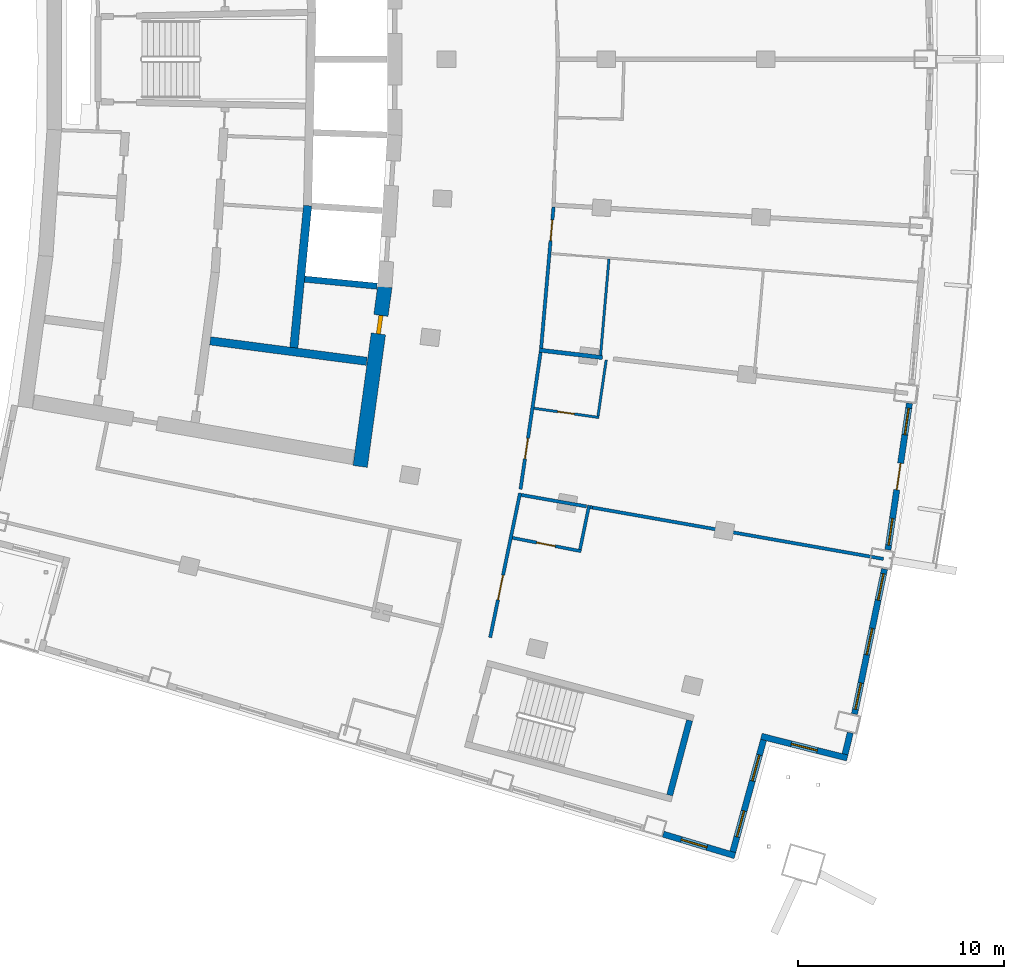
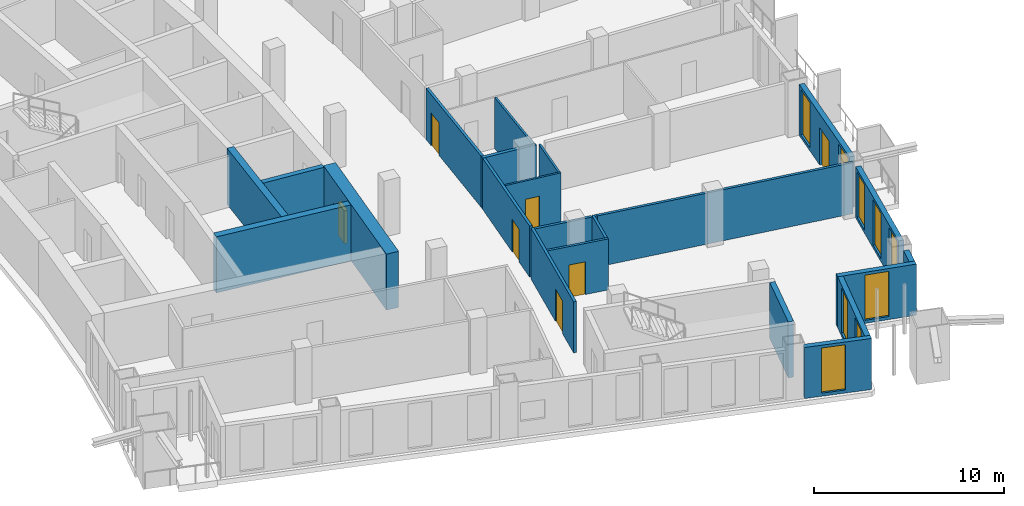
# One storey, part 12 of 20: 23 walls, 9 windows, 7 doors, 16 openings.
"""IFC4 building model written with IfcOpenShell, lengths in metres."""

from ifc_helpers import new_model, si_unit, direction, frame, frame_2d, origin, place, context, subcontext, project, spatial, rectangle, extrude, material, layer, layer_set, type_object, element, fill, save


model = new_model("IFC4")

# Units and contexts
model_context = context("Model", 3, precision=1e-05, world=origin(), true_north=direction((0.0, 1.0)))
body_context = subcontext(model_context, "Body", "Model", "MODEL_VIEW")
ifc_project = project(units=[si_unit("LENGTHUNIT", "METRE"), si_unit("AREAUNIT", "SQUARE_METRE"), si_unit("VOLUMEUNIT", "CUBIC_METRE"), si_unit("PLANEANGLEUNIT", "RADIAN"), si_unit("MASSUNIT", "GRAM", prefix="KILO")], contexts=[model_context])

# Site, building, storey
site_placement = place(None, origin())
site = spatial("IfcSite", under=ifc_project, at=site_placement, CompositionType="ELEMENT")
building_placement = place(site_placement, origin())
building = spatial("IfcBuilding", under=site, at=building_placement, Name="Alderwake Tower", CompositionType="ELEMENT")
storey_placement = place(building_placement, frame((0.0, 0.0, 178.39990234375)))
storey = spatial("IfcBuildingStorey", under=building, at=storey_placement, Name="L44", CompositionType="ELEMENT", Elevation=178.39990234375)

# Wall, opening, door
ifc_material_1 = material(Name="Concrete C70/85", Category="concrete")
ifc_layer_1 = layer(ifc_material_1, 0.699951171875)
ifc_layer_set_1 = layer_set([ifc_layer_1], Name="Core wall outer 700 C70-85")
wall_type_1 = type_object("IfcWallType", Name="Core wall outer 700 C70-85", PredefinedType="SHEAR", material=ifc_layer_set_1)
wall_1_placement = place(storey_placement, frame((32.81298828125, 49.97412109375, 0.0), z_axis=(0.0, 0.0, 1.0), x_axis=(-0.135835706655, -0.99073137671, 0.0)))
wall_1 = element("IfcWall", 1, at=wall_1_placement, inside=storey, type_object=wall_type_1, Name="Core wall CW.012", PredefinedType="SHEAR", context=body_context, shape_type="SweptSolid", body=[
    extrude(rectangle(XDim=8.790771484375, YDim=0.699951171875, at=frame_2d((4.3955078125, 0.0))), origin(), (0.0, 0.0, 1.0), 3.60009765625),
])
opening_1_placement = place(wall_1_placement, frame((1.40478515625, 0.0, 0.0)))
opening_1 = element("IfcOpeningElement", 2, at=opening_1_placement, cuts=wall_1, Name="Opening C050", PredefinedType="OPENING", context=body_context, shape_type="SweptSolid", body=[
    extrude(rectangle(XDim=0.89990234375, YDim=2.10009765625, at=frame_2d((0.449951171875, 1.050048828125))), frame((0.0, 0.35986328125, 0.0), z_axis=(0.0, -1.0, 0.0), x_axis=(1.0, 0.0, 0.0)), (0.0, 0.0, 1.0), 0.719970703125),
])
ifc_material_2 = material(Name="Painted steel leaf", Category="steel")
door_type_1 = type_object("IfcDoorType", Name="Core room door 900", OperationType="SINGLE_SWING_LEFT", PredefinedType="DOOR", material=ifc_material_2)
door_1_placement = place(opening_1_placement, origin())
door_1 = element("IfcDoor", 3, at=door_1_placement, inside=storey, type_object=door_type_1, Name="Room door", OperationType="SINGLE_SWING_RIGHT", OverallHeight=2.10009765625, OverallWidth=0.89990234375, PredefinedType="DOOR", context=body_context, shape_type="SweptSolid", body=[
    extrude(rectangle(XDim=0.89990234375, YDim=2.10009765625, at=frame_2d((0.449951171875, 1.050048828125))), frame((0.0, 0.10009765625, 0.0), z_axis=(0.0, -1.0, 0.0), x_axis=(1.0, 0.0, 0.0)), (0.0, 0.0, 1.0), 0.199951171875),
])
fill(opening_1, door_1)

# Walls
ifc_material_3 = material(Name="Concrete C70/85", Category="concrete")
ifc_layer_2 = layer(ifc_material_3, 0.300048828125)
ifc_layer_set_2 = layer_set([ifc_layer_2], Name="Core wall shaft 300 C70-85")
wall_type_2 = type_object("IfcWallType", Name="Core wall shaft 300 C70-85", PredefinedType="SHEAR", material=ifc_layer_set_2)
wall_2_placement = place(storey_placement, frame((28.92529296875, 50.341552734375, 0.0), z_axis=(0.0, 0.0, 1.0), x_axis=(0.995245524877, -0.097397870674, 0.0)))
element("IfcWall", 4, at=wall_2_placement, inside=storey, type_object=wall_type_2, Name="Core wall CW.064", PredefinedType="SHEAR", context=body_context, shape_type="SweptSolid", body=[
    extrude(rectangle(XDim=3.5244140625, YDim=0.300048828125, at=frame_2d((1.76220703125, 0.0))), origin(), (0.0, 0.0, 1.0), 3.60009765625),
])
ifc_material_4 = material(Name="Concrete C70/85", Category="concrete")
ifc_layer_3 = layer(ifc_material_4, 0.39990234375)
ifc_layer_set_3 = layer_set([ifc_layer_3], Name="Core wall spine 400 C70-85")
wall_type_3 = type_object("IfcWallType", Name="Core wall spine 400 C70-85", PredefinedType="SHEAR", material=ifc_layer_set_3)
wall_3_placement = place(storey_placement, frame((28.402587890625, 47.0234375, 0.0), z_axis=(0.0, 0.0, 1.0), x_axis=(0.096500230077, 0.995332962177, 0.0)))
element("IfcWall", 5, at=wall_3_placement, inside=storey, type_object=wall_type_3, Name="Core wall CW.005", PredefinedType="SHEAR", context=body_context, shape_type="SweptSolid", body=[
    extrude(rectangle(XDim=6.914306640625, YDim=0.39990234375, at=frame_2d((3.45703125, 0.0))), origin(), (0.0, 0.0, 1.0), 3.60009765625),
])
wall_4_placement = place(storey_placement, frame((24.347900390625, 47.35205078125, 0.0), z_axis=(0.0, 0.0, 1.0), x_axis=(0.991554795689, -0.129688423329, 0.0)))
element("IfcWall", 6, at=wall_4_placement, inside=storey, type_object=wall_type_3, Name="Core wall CW.069", PredefinedType="SHEAR", context=body_context, shape_type="SweptSolid", body=[
    extrude(rectangle(XDim=7.650634765625, YDim=0.39990234375, at=frame_2d((3.8251953125, 0.0))), origin(), (0.0, 0.0, 1.0), 3.60009765625),
])
ifc_material_5 = material(Name="Concrete C70/85", Category="concrete")
ifc_layer_4 = layer(ifc_material_5, 0.300048828125)
ifc_layer_set_4 = layer_set([ifc_layer_4], Name="Core wall stair enclosure 300 C70-85")
wall_type_4 = type_object("IfcWallType", Name="Core wall stair enclosure 300 C70-85", PredefinedType="SHEAR", material=ifc_layer_set_4)
wall_5_placement = place(storey_placement, frame((46.6162109375, 25.334716796875, 0.0), z_axis=(0.0, 0.0, 1.0), x_axis=(0.257366821694, 0.966313778796, 0.0)))
element("IfcWall", 7, at=wall_5_placement, inside=storey, type_object=wall_type_4, Name="Core wall CW.085", PredefinedType="SHEAR", context=body_context, shape_type="SweptSolid", body=[
    extrude(rectangle(XDim=3.749755859375, YDim=0.300048828125, at=frame_2d((1.875, 0.0))), origin(), (0.0, 0.0, 1.0), 3.60009765625),
])

# Wall, opening, door
ifc_material_6 = material(Name="Gypsum board on metal studs, rated")
ifc_layer_5 = layer(ifc_material_6, 0.159912109375)
ifc_layer_set_5 = layer_set([ifc_layer_5], Name="Corridor wall 160")
wall_type_5 = type_object("IfcWallType", Name="Corridor wall 160", PredefinedType="PARTITIONING", material=ifc_layer_set_5)
wall_6_placement = place(storey_placement, frame((39.3642578125, 39.975341796875, 0.0), z_axis=(0.0, 0.0, 1.0), x_axis=(-0.202490391407, -0.979284249535, 0.0)))
wall_6 = element("IfcWall", 8, at=wall_6_placement, inside=storey, type_object=wall_type_5, Name="WL/L44/W25", PredefinedType="PARTITIONING", context=body_context, shape_type="SweptSolid", body=[
    extrude(rectangle(XDim=7.147216796875, YDim=0.159912109375, at=frame_2d((3.57373046875, 0.0))), origin(), (0.0, 0.0, 1.0), 3.280029296875),
])
opening_2_placement = place(wall_6_placement, frame((4.073486328125, 0.0, 0.0)))
opening_2 = element("IfcOpeningElement", 9, at=opening_2_placement, cuts=wall_6, Name="Opening R12-AM1.1", PredefinedType="OPENING", context=body_context, shape_type="SweptSolid", body=[
    extrude(rectangle(XDim=1.199951171875, YDim=2.10009765625, at=frame_2d((0.60009765625, 1.050048828125))), frame((0.0, 0.08984375, 0.0), z_axis=(0.0, -1.0, 0.0), x_axis=(1.0, 0.0, 0.0)), (0.0, 0.0, 1.0), 0.179931640625),
])
ifc_material_7 = material(Name="Steel-framed fire door leaf", Category="steel")
door_type_2 = type_object("IfcDoorType", Name="Lobby door 1200 fire-rated", OperationType="SINGLE_SWING_LEFT", PredefinedType="DOOR", material=ifc_material_7)
door_2_placement = place(opening_2_placement, origin())
door_2 = element("IfcDoor", 10, at=door_2_placement, inside=storey, type_object=door_type_2, Name="DR/L44/AM1.1", OperationType="SINGLE_SWING_LEFT", OverallHeight=2.10009765625, OverallWidth=1.199951171875, PredefinedType="DOOR", context=body_context, shape_type="SweptSolid", body=[
    extrude(rectangle(XDim=1.199951171875, YDim=2.10009765625, at=frame_2d((0.60009765625, 1.050048828125))), frame((0.0, 0.02490234375, 0.0), z_axis=(0.0, -1.0, 0.0), x_axis=(1.0, 0.0, 0.0)), (0.0, 0.0, 1.0), 0.050048828125),
])
fill(opening_2, door_2)

wall_7_placement = place(storey_placement, frame((40.3623046875, 46.7939453125, 0.0), z_axis=(0.0, 0.0, 1.0), x_axis=(-0.145513909196, -0.989356205939, 0.0)))
wall_7 = element("IfcWall", 11, at=wall_7_placement, inside=storey, type_object=wall_type_5, Name="WL/L44/W26", PredefinedType="PARTITIONING", context=body_context, shape_type="SweptSolid", body=[
    extrude(rectangle(XDim=6.704345703125, YDim=0.159912109375, at=frame_2d((3.35205078125, 0.0))), origin(), (0.0, 0.0, 1.0), 3.280029296875),
])
opening_3_placement = place(wall_7_placement, frame((4.216552734375, 0.0, 0.0)))
opening_3 = element("IfcOpeningElement", 12, at=opening_3_placement, cuts=wall_7, Name="Opening R12-U03.1", PredefinedType="OPENING", context=body_context, shape_type="SweptSolid", body=[
    extrude(rectangle(XDim=1.0, YDim=2.10009765625, at=frame_2d((0.5, 1.050048828125))), frame((0.0, 0.08984375, 0.0), z_axis=(0.0, -1.0, 0.0), x_axis=(1.0, 0.0, 0.0)), (0.0, 0.0, 1.0), 0.179931640625),
])
ifc_material_8 = material(Name="Solid timber leaf in steel frame", Category="steel")
door_type_3 = type_object("IfcDoorType", Name="Flat entrance door 1000 fire-rated", OperationType="SINGLE_SWING_LEFT", PredefinedType="DOOR", material=ifc_material_8)
door_3_placement = place(opening_3_placement, origin())
door_3 = element("IfcDoor", 13, at=door_3_placement, inside=storey, type_object=door_type_3, Name="DR/L44/U03.1", OperationType="SINGLE_SWING_LEFT", OverallHeight=2.10009765625, OverallWidth=1.0, PredefinedType="DOOR", context=body_context, shape_type="SweptSolid", body=[
    extrude(rectangle(XDim=1.0, YDim=2.10009765625, at=frame_2d((0.5, 1.050048828125))), frame((0.0, 0.02490234375, 0.0), z_axis=(0.0, -1.0, 0.0), x_axis=(1.0, 0.0, 0.0)), (0.0, 0.0, 1.0), 0.050048828125),
])
fill(opening_3, door_3)

wall_8_placement = place(storey_placement, frame((40.986328125, 53.834228515625, 0.0), z_axis=(0.0, 0.0, 1.0), x_axis=(-0.087448731147, -0.996169021512, 0.0)))
wall_8 = element("IfcWall", 14, at=wall_8_placement, inside=storey, type_object=wall_type_5, Name="WL/L44/W28", PredefinedType="PARTITIONING", context=body_context, shape_type="SweptSolid", body=[
    extrude(rectangle(XDim=6.867919921875, YDim=0.159912109375, at=frame_2d((3.43408203125, 0.0))), origin(), (0.0, 0.0, 1.0), 3.280029296875),
])
opening_4_placement = place(wall_8_placement, frame((0.628173828125, 0.0, 0.0)))
opening_4 = element("IfcOpeningElement", 15, at=opening_4_placement, cuts=wall_8, Name="Opening R12-U04.2", PredefinedType="OPENING", context=body_context, shape_type="SweptSolid", body=[
    extrude(rectangle(XDim=1.0, YDim=2.10009765625, at=frame_2d((0.5, 1.050048828125))), frame((0.0, 0.08984375, 0.0), z_axis=(0.0, -1.0, 0.0), x_axis=(1.0, 0.0, 0.0)), (0.0, 0.0, 1.0), 0.179931640625),
])
door_4_placement = place(opening_4_placement, origin())
door_4 = element("IfcDoor", 16, at=door_4_placement, inside=storey, type_object=door_type_3, Name="DR/L44/U04.2", OperationType="SINGLE_SWING_LEFT", OverallHeight=2.10009765625, OverallWidth=1.0, PredefinedType="DOOR", context=body_context, shape_type="SweptSolid", body=[
    extrude(rectangle(XDim=1.0, YDim=2.10009765625, at=frame_2d((0.5, 1.050048828125))), frame((0.0, 0.02490234375, 0.0), z_axis=(0.0, -1.0, 0.0), x_axis=(1.0, 0.0, 0.0)), (0.0, 0.0, 1.0), 0.050048828125),
])
fill(opening_4, door_4)

# Walls
wall_9_placement = place(storey_placement, frame((42.579833984375, 39.328125, 0.0), z_axis=(0.0, 0.0, 1.0), x_axis=(-0.984863294771, 0.173332889587, 0.0)))
element("IfcWall", 17, at=wall_9_placement, inside=storey, type_object=wall_type_5, Name="WL/L44/W33", PredefinedType="PARTITIONING", context=body_context, shape_type="SweptSolid", body=[
    extrude(rectangle(XDim=3.201416015625, YDim=0.159912109375, at=frame_2d((1.6005859375, 0.0))), origin(), (0.0, 0.0, 1.0), 3.280029296875),
])
wall_10_placement = place(storey_placement, frame((42.8779296875, 39.2724609375, 0.0), z_axis=(0.0, 0.0, 1.0), x_axis=(-0.983295875598, 0.18201434293, 0.0)))
element("IfcWall", 18, at=wall_10_placement, inside=storey, type_object=wall_type_5, Name="WL/L44/W34", PredefinedType="PARTITIONING", context=body_context, shape_type="SweptSolid", body=[
    extrude(rectangle(XDim=0.11669921875, YDim=0.159912109375, at=frame_2d((0.058349609375, 0.0))), origin(), (0.0, 0.0, 1.0), 3.280029296875),
])
wall_11_placement = place(storey_placement, frame((56.97607421875, 36.782958984375, 0.0), z_axis=(0.0, 0.0, 1.0), x_axis=(-0.984749571154, 0.173977820748, 0.0)))
element("IfcWall", 19, at=wall_11_placement, inside=storey, type_object=wall_type_5, Name="WL/L44/W35", PredefinedType="PARTITIONING", context=body_context, shape_type="SweptSolid", body=[
    extrude(rectangle(XDim=14.326171875, YDim=0.159912109375, at=frame_2d((7.1630859375, 0.0))), origin(), (0.0, 0.0, 1.0), 3.280029296875),
])
ifc_material_9 = material(Name="Precast concrete C50/60 spandrel panel", Category="concrete")
ifc_layer_6 = layer(ifc_material_9, 0.300048828125)
ifc_layer_set_6 = layer_set([ifc_layer_6], Name="External wall EW1 Precast concrete C50/60 spandrel")
wall_type_6 = type_object("IfcWallType", Name="External wall EW1 Precast concrete C50/60 spandrel", PredefinedType="SOLIDWALL", material=ifc_layer_set_6)
wall_12_placement = place(storey_placement, frame((55.11181640625, 27.31591796875, 0.0), z_axis=(0.0, 0.0, 1.0), x_axis=(0.238310475887, 0.971189022324, 0.0)))
element("IfcWall", 20, at=wall_12_placement, inside=storey, type_object=wall_type_6, Name="External wall 11", PredefinedType="SOLIDWALL", context=body_context, shape_type="SweptSolid", body=[
    extrude(rectangle(XDim=1.07470703125, YDim=0.300048828125, at=frame_2d((0.537353515625, 0.0))), origin(), (0.0, 0.0, 1.0), 3.280029296875),
])

# Wall, openings, windows
wall_13_placement = place(storey_placement, frame((55.572509765625, 29.265625, 0.0), z_axis=(0.0, 0.0, 1.0), x_axis=(0.202713609839, 0.979238067268, 0.0)))
wall_13 = element("IfcWall", 21, at=wall_13_placement, inside=storey, type_object=wall_type_6, Name="External wall 12", PredefinedType="SOLIDWALL", context=body_context, shape_type="SweptSolid", body=[
    extrude(rectangle(XDim=7.175537109375, YDim=0.300048828125, at=frame_2d((3.587890625, 0.0))), origin(), (0.0, 0.0, 1.0), 3.280029296875),
])
opening_5_placement = place(wall_13_placement, frame((0.2353515625, 0.0, 0.199951171875)))
opening_5 = element("IfcOpeningElement", 22, at=opening_5_placement, cuts=wall_13, Name="Opening W1", PredefinedType="OPENING", context=body_context, shape_type="SweptSolid", body=[
    extrude(rectangle(XDim=1.300048828125, YDim=2.89990234375, at=frame_2d((0.64990234375, 1.449951171875))), frame((0.0, 0.159912109375, 0.0), z_axis=(0.0, -1.0, 0.0), x_axis=(1.0, 0.0, 0.0)), (0.0, 0.0, 1.0), 0.320068359375),
])
opening_6_placement = place(wall_13_placement, frame((2.937744140625, 0.0, 0.199951171875)))
opening_6 = element("IfcOpeningElement", 23, at=opening_6_placement, cuts=wall_13, Name="Opening W1", PredefinedType="OPENING", context=body_context, shape_type="SweptSolid", body=[
    extrude(rectangle(XDim=1.300048828125, YDim=2.89990234375, at=frame_2d((0.64990234375, 1.449951171875))), frame((0.0, 0.159912109375, 0.0), z_axis=(0.0, -1.0, 0.0), x_axis=(1.0, 0.0, 0.0)), (0.0, 0.0, 1.0), 0.320068359375),
])
opening_7_placement = place(wall_13_placement, frame((5.64013671875, 0.0, 0.199951171875)))
opening_7 = element("IfcOpeningElement", 24, at=opening_7_placement, cuts=wall_13, Name="Opening W1", PredefinedType="OPENING", context=body_context, shape_type="SweptSolid", body=[
    extrude(rectangle(XDim=1.300048828125, YDim=2.89990234375, at=frame_2d((0.64990234375, 1.449951171875))), frame((0.0, 0.159912109375, 0.0), z_axis=(0.0, -1.0, 0.0), x_axis=(1.0, 0.0, 0.0)), (0.0, 0.0, 1.0), 0.320068359375),
])
ifc_material_10 = material(Name="Bronze tinted glass in aluminium frame", Category="aluminium")
window_type = type_object("IfcWindowType", Name="Window W1 tall fixed and vent", PartitioningType="DOUBLE_PANEL_VERTICAL", PredefinedType="WINDOW", material=ifc_material_10)
window_1_placement = place(opening_5_placement, origin())
window_1 = element("IfcWindow", 25, at=window_1_placement, inside=storey, type_object=window_type, Name="Window W1 tall fixed and vent", OverallHeight=2.89990234375, OverallWidth=1.300048828125, PartitioningType="DOUBLE_PANEL_VERTICAL", PredefinedType="WINDOW", context=body_context, shape_type="SweptSolid", body=[
    extrude(rectangle(XDim=1.300048828125, YDim=2.89990234375, at=frame_2d((0.64990234375, 1.449951171875))), frame((0.0, 0.030029296875, 0.0), z_axis=(0.0, -1.0, 0.0), x_axis=(1.0, 0.0, 0.0)), (0.0, 0.0, 1.0), 0.06005859375),
])
fill(opening_5, window_1)
window_2_placement = place(opening_6_placement, origin())
window_2 = element("IfcWindow", 26, at=window_2_placement, inside=storey, type_object=window_type, Name="Window W1 tall fixed and vent", OverallHeight=2.89990234375, OverallWidth=1.300048828125, PartitioningType="DOUBLE_PANEL_VERTICAL", PredefinedType="WINDOW", context=body_context, shape_type="SweptSolid", body=[
    extrude(rectangle(XDim=1.300048828125, YDim=2.89990234375, at=frame_2d((0.64990234375, 1.449951171875))), frame((0.0, 0.030029296875, 0.0), z_axis=(0.0, -1.0, 0.0), x_axis=(1.0, 0.0, 0.0)), (0.0, 0.0, 1.0), 0.06005859375),
])
fill(opening_6, window_2)
window_3_placement = place(opening_7_placement, origin())
window_3 = element("IfcWindow", 27, at=window_3_placement, inside=storey, type_object=window_type, Name="Window W1 tall fixed and vent", OverallHeight=2.89990234375, OverallWidth=1.300048828125, PartitioningType="DOUBLE_PANEL_VERTICAL", PredefinedType="WINDOW", context=body_context, shape_type="SweptSolid", body=[
    extrude(rectangle(XDim=1.300048828125, YDim=2.89990234375, at=frame_2d((0.64990234375, 1.449951171875))), frame((0.0, 0.030029296875, 0.0), z_axis=(0.0, -1.0, 0.0), x_axis=(1.0, 0.0, 0.0)), (0.0, 0.0, 1.0), 0.06005859375),
])
fill(opening_7, window_3)

# Wall, openings, door, windows
wall_14_placement = place(storey_placement, frame((57.19189453125, 37.2236328125, 0.0), z_axis=(0.0, 0.0, 1.0), x_axis=(0.145316694365, 0.989385192096, 0.0)))
wall_14 = element("IfcWall", 28, at=wall_14_placement, inside=storey, type_object=wall_type_6, Name="External wall 13", PredefinedType="SOLIDWALL", context=body_context, shape_type="SweptSolid", body=[
    extrude(rectangle(XDim=7.175537109375, YDim=0.300048828125, at=frame_2d((3.587890625, 0.0))), origin(), (0.0, 0.0, 1.0), 3.280029296875),
])
opening_8_placement = place(wall_14_placement, frame((0.2353515625, 0.0, 0.199951171875)))
opening_8 = element("IfcOpeningElement", 29, at=opening_8_placement, cuts=wall_14, Name="Opening W1", PredefinedType="OPENING", context=body_context, shape_type="SweptSolid", body=[
    extrude(rectangle(XDim=1.300048828125, YDim=2.89990234375, at=frame_2d((0.64990234375, 1.449951171875))), frame((0.0, 0.159912109375, 0.0), z_axis=(0.0, -1.0, 0.0), x_axis=(1.0, 0.0, 0.0)), (0.0, 0.0, 1.0), 0.320068359375),
])
opening_9_placement = place(wall_14_placement, frame((2.937744140625, 0.0, 0.0)))
opening_9 = element("IfcOpeningElement", 30, at=opening_9_placement, cuts=wall_14, Name="Opening D02", PredefinedType="OPENING", context=body_context, shape_type="SweptSolid", body=[
    extrude(rectangle(XDim=1.300048828125, YDim=2.39990234375, at=frame_2d((0.64990234375, 1.199951171875))), frame((0.0, 0.159912109375, 0.0), z_axis=(0.0, -1.0, 0.0), x_axis=(1.0, 0.0, 0.0)), (0.0, 0.0, 1.0), 0.320068359375),
])
opening_10_placement = place(wall_14_placement, frame((5.64013671875, 0.0, 0.199951171875)))
opening_10 = element("IfcOpeningElement", 31, at=opening_10_placement, cuts=wall_14, Name="Opening W1", PredefinedType="OPENING", context=body_context, shape_type="SweptSolid", body=[
    extrude(rectangle(XDim=1.300048828125, YDim=2.89990234375, at=frame_2d((0.64990234375, 1.449951171875))), frame((0.0, 0.159912109375, 0.0), z_axis=(0.0, -1.0, 0.0), x_axis=(1.0, 0.0, 0.0)), (0.0, 0.0, 1.0), 0.320068359375),
])
ifc_material_11 = material(Name="Bronze tinted glass in aluminium frame", Category="aluminium")
door_type_4 = type_object("IfcDoorType", Name="Balcony door BD sliding", OperationType="SLIDING_TO_LEFT", PredefinedType="DOOR", material=ifc_material_11)
door_5_placement = place(opening_9_placement, origin())
door_5 = element("IfcDoor", 32, at=door_5_placement, inside=storey, type_object=door_type_4, Name="Door D02", OperationType="SLIDING_TO_LEFT", OverallHeight=2.39990234375, OverallWidth=1.300048828125, PredefinedType="DOOR", context=body_context, shape_type="SweptSolid", body=[
    extrude(rectangle(XDim=1.300048828125, YDim=2.39990234375, at=frame_2d((0.64990234375, 1.199951171875))), frame((0.0, 0.02490234375, 0.0), z_axis=(0.0, -1.0, 0.0), x_axis=(1.0, 0.0, 0.0)), (0.0, 0.0, 1.0), 0.050048828125),
])
fill(opening_9, door_5)
window_4_placement = place(opening_8_placement, origin())
window_4 = element("IfcWindow", 33, at=window_4_placement, inside=storey, type_object=window_type, Name="Window W1 tall fixed and vent", OverallHeight=2.89990234375, OverallWidth=1.300048828125, PartitioningType="DOUBLE_PANEL_VERTICAL", PredefinedType="WINDOW", context=body_context, shape_type="SweptSolid", body=[
    extrude(rectangle(XDim=1.300048828125, YDim=2.89990234375, at=frame_2d((0.64990234375, 1.449951171875))), frame((0.0, 0.030029296875, 0.0), z_axis=(0.0, -1.0, 0.0), x_axis=(1.0, 0.0, 0.0)), (0.0, 0.0, 1.0), 0.06005859375),
])
fill(opening_8, window_4)
window_5_placement = place(opening_10_placement, origin())
window_5 = element("IfcWindow", 34, at=window_5_placement, inside=storey, type_object=window_type, Name="Window W1 tall fixed and vent", OverallHeight=2.89990234375, OverallWidth=1.300048828125, PartitioningType="DOUBLE_PANEL_VERTICAL", PredefinedType="WINDOW", context=body_context, shape_type="SweptSolid", body=[
    extrude(rectangle(XDim=1.300048828125, YDim=2.89990234375, at=frame_2d((0.64990234375, 1.449951171875))), frame((0.0, 0.030029296875, 0.0), z_axis=(0.0, -1.0, 0.0), x_axis=(1.0, 0.0, 0.0)), (0.0, 0.0, 1.0), 0.06005859375),
])
fill(opening_10, window_5)

# Wall, opening, window
ifc_material_12 = material(Name="Bronze metal cladding on lightweight framing")
ifc_layer_7 = layer(ifc_material_12, 0.300048828125)
ifc_layer_set_7 = layer_set([ifc_layer_7], Name="External wall EW2 bronze metal cladding")
wall_type_7 = type_object("IfcWallType", Name="External wall EW2 bronze metal cladding", PredefinedType="SOLIDWALL", material=ifc_layer_set_7)
wall_15_placement = place(storey_placement, frame((46.302734375, 23.44580078125, 0.0), z_axis=(0.0, 0.0, 1.0), x_axis=(0.957759608744, -0.287570046873, 0.0)))
wall_15 = element("IfcWall", 35, at=wall_15_placement, inside=storey, type_object=wall_type_7, Name="External wall 8", PredefinedType="SOLIDWALL", context=body_context, shape_type="SweptSolid", body=[
    extrude(rectangle(XDim=3.62939453125, YDim=0.300048828125, at=frame_2d((1.814697265625, 0.0))), origin(), (0.0, 0.0, 1.0), 3.280029296875),
])
opening_11_placement = place(wall_15_placement, frame((0.913818359375, 0.0, 0.199951171875)))
opening_11 = element("IfcOpeningElement", 36, at=opening_11_placement, cuts=wall_15, Name="Opening W1", PredefinedType="OPENING", context=body_context, shape_type="SweptSolid", body=[
    extrude(rectangle(XDim=1.300048828125, YDim=2.89990234375, at=frame_2d((0.64990234375, 1.449951171875))), frame((0.0, 0.159912109375, 0.0), z_axis=(0.0, -1.0, 0.0), x_axis=(1.0, 0.0, 0.0)), (0.0, 0.0, 1.0), 0.320068359375),
])
window_6_placement = place(opening_11_placement, origin())
window_6 = element("IfcWindow", 37, at=window_6_placement, inside=storey, type_object=window_type, Name="Window W1 tall fixed and vent", OverallHeight=2.89990234375, OverallWidth=1.300048828125, PartitioningType="DOUBLE_PANEL_VERTICAL", PredefinedType="WINDOW", context=body_context, shape_type="SweptSolid", body=[
    extrude(rectangle(XDim=1.300048828125, YDim=2.89990234375, at=frame_2d((0.64990234375, 1.449951171875))), frame((0.0, 0.030029296875, 0.0), z_axis=(0.0, -1.0, 0.0), x_axis=(1.0, 0.0, 0.0)), (0.0, 0.0, 1.0), 0.06005859375),
])
fill(opening_11, window_6)

# Wall, openings, windows
wall_16_placement = place(storey_placement, frame((49.675048828125, 22.58984375, 0.0), z_axis=(0.0, 0.0, 1.0), x_axis=(0.265102938601, 0.96422011592, 0.0)))
wall_16 = element("IfcWall", 38, at=wall_16_placement, inside=storey, type_object=wall_type_7, Name="External wall 9", PredefinedType="SOLIDWALL", context=body_context, shape_type="SweptSolid", body=[
    extrude(rectangle(XDim=5.61669921875, YDim=0.300048828125, at=frame_2d((2.808349609375, 0.0))), origin(), (0.0, 0.0, 1.0), 3.280029296875),
])
opening_12_placement = place(wall_16_placement, frame((0.754150390625, 0.0, 0.199951171875)))
opening_12 = element("IfcOpeningElement", 39, at=opening_12_placement, cuts=wall_16, Name="Opening W1", PredefinedType="OPENING", context=body_context, shape_type="SweptSolid", body=[
    extrude(rectangle(XDim=1.300048828125, YDim=2.89990234375, at=frame_2d((0.64990234375, 1.449951171875))), frame((0.0, 0.159912109375, 0.0), z_axis=(0.0, -1.0, 0.0), x_axis=(1.0, 0.0, 0.0)), (0.0, 0.0, 1.0), 0.320068359375),
])
opening_13_placement = place(wall_16_placement, frame((3.5625, 0.0, 0.199951171875)))
opening_13 = element("IfcOpeningElement", 40, at=opening_13_placement, cuts=wall_16, Name="Opening W1", PredefinedType="OPENING", context=body_context, shape_type="SweptSolid", body=[
    extrude(rectangle(XDim=1.300048828125, YDim=2.89990234375, at=frame_2d((0.64990234375, 1.449951171875))), frame((0.0, 0.159912109375, 0.0), z_axis=(0.0, -1.0, 0.0), x_axis=(1.0, 0.0, 0.0)), (0.0, 0.0, 1.0), 0.320068359375),
])
window_7_placement = place(opening_12_placement, origin())
window_7 = element("IfcWindow", 41, at=window_7_placement, inside=storey, type_object=window_type, Name="Window W1 tall fixed and vent", OverallHeight=2.89990234375, OverallWidth=1.300048828125, PartitioningType="DOUBLE_PANEL_VERTICAL", PredefinedType="WINDOW", context=body_context, shape_type="SweptSolid", body=[
    extrude(rectangle(XDim=1.300048828125, YDim=2.89990234375, at=frame_2d((0.64990234375, 1.449951171875))), frame((0.0, 0.030029296875, 0.0), z_axis=(0.0, -1.0, 0.0), x_axis=(1.0, 0.0, 0.0)), (0.0, 0.0, 1.0), 0.06005859375),
])
fill(opening_12, window_7)
window_8_placement = place(opening_13_placement, origin())
window_8 = element("IfcWindow", 42, at=window_8_placement, inside=storey, type_object=window_type, Name="Window W1 tall fixed and vent", OverallHeight=2.89990234375, OverallWidth=1.300048828125, PartitioningType="DOUBLE_PANEL_VERTICAL", PredefinedType="WINDOW", context=body_context, shape_type="SweptSolid", body=[
    extrude(rectangle(XDim=1.300048828125, YDim=2.89990234375, at=frame_2d((0.64990234375, 1.449951171875))), frame((0.0, 0.030029296875, 0.0), z_axis=(0.0, -1.0, 0.0), x_axis=(1.0, 0.0, 0.0)), (0.0, 0.0, 1.0), 0.06005859375),
])
fill(opening_13, window_8)

# Wall, opening, window
wall_17_placement = place(storey_placement, frame((51.058349609375, 28.18701171875, 0.0), z_axis=(0.0, 0.0, 1.0), x_axis=(0.969429385377, -0.245370468408, 0.0)))
wall_17 = element("IfcWall", 43, at=wall_17_placement, inside=storey, type_object=wall_type_7, Name="External wall 10", PredefinedType="SOLIDWALL", context=body_context, shape_type="SweptSolid", body=[
    extrude(rectangle(XDim=4.29443359375, YDim=0.300048828125, at=frame_2d((2.147216796875, 0.0))), origin(), (0.0, 0.0, 1.0), 3.280029296875),
])
opening_14_placement = place(wall_17_placement, frame((1.4970703125, 0.0, 0.199951171875)))
opening_14 = element("IfcOpeningElement", 44, at=opening_14_placement, cuts=wall_17, Name="Opening W1", PredefinedType="OPENING", context=body_context, shape_type="SweptSolid", body=[
    extrude(rectangle(XDim=1.300048828125, YDim=2.89990234375, at=frame_2d((0.64990234375, 1.449951171875))), frame((0.0, 0.159912109375, 0.0), z_axis=(0.0, -1.0, 0.0), x_axis=(1.0, 0.0, 0.0)), (0.0, 0.0, 1.0), 0.320068359375),
])
window_9_placement = place(opening_14_placement, origin())
window_9 = element("IfcWindow", 45, at=window_9_placement, inside=storey, type_object=window_type, Name="Window W1 tall fixed and vent", OverallHeight=2.89990234375, OverallWidth=1.300048828125, PartitioningType="DOUBLE_PANEL_VERTICAL", PredefinedType="WINDOW", context=body_context, shape_type="SweptSolid", body=[
    extrude(rectangle(XDim=1.300048828125, YDim=2.89990234375, at=frame_2d((0.64990234375, 1.449951171875))), frame((0.0, 0.030029296875, 0.0), z_axis=(0.0, -1.0, 0.0), x_axis=(1.0, 0.0, 0.0)), (0.0, 0.0, 1.0), 0.06005859375),
])
fill(opening_14, window_9)

# Wall
ifc_material_13 = material(Name="Dense block masonry wall", Category="masonry")
ifc_layer_8 = layer(ifc_material_13, 0.199951171875)
ifc_layer_set_8 = layer_set([ifc_layer_8], Name="Party wall 200")
wall_type_8 = type_object("IfcWallType", Name="Party wall 200", PredefinedType="SOLIDWALL", material=ifc_layer_set_8)
wall_18_placement = place(storey_placement, frame((43.356201171875, 46.542236328125, 0.0), z_axis=(0.0, 0.0, 1.0), x_axis=(-0.993140319253, 0.116928637524, 0.0)))
element("IfcWall", 46, at=wall_18_placement, inside=storey, type_object=wall_type_8, Name="WL/L44/W01", PredefinedType="SOLIDWALL", context=body_context, shape_type="SweptSolid", body=[
    extrude(rectangle(XDim=3.079833984375, YDim=0.199951171875, at=frame_2d((1.5400390625, 0.0))), origin(), (0.0, 0.0, 1.0), 3.280029296875),
])

# Wall, opening, door
ifc_material_14 = material(Name="Gypsum shaft wall system, rated")
ifc_layer_9 = layer(ifc_material_14, 0.14990234375)
ifc_layer_set_9 = layer_set([ifc_layer_9], Name="Riser and shaft wall 150")
wall_type_9 = type_object("IfcWallType", Name="Riser and shaft wall 150", PredefinedType="PARTITIONING", material=ifc_layer_set_9)
wall_19_placement = place(storey_placement, frame((38.99755859375, 37.8056640625, 0.0), z_axis=(0.0, 0.0, 1.0), x_axis=(0.981480367208, -0.191562754169, 0.0)))
wall_19 = element("IfcWall", 47, at=wall_19_placement, inside=storey, type_object=wall_type_9, Name="WL/L44/W11", PredefinedType="PARTITIONING", context=body_context, shape_type="SweptSolid", body=[
    extrude(rectangle(XDim=3.393798828125, YDim=0.14990234375, at=frame_2d((1.69677734375, 0.0))), origin(), (0.0, 0.0, 1.0), 3.280029296875),
])
opening_15_placement = place(wall_19_placement, frame((1.209228515625, 0.0, 0.0)))
opening_15 = element("IfcOpeningElement", 48, at=opening_15_placement, cuts=wall_19, Name="Opening R12-AM1.2", PredefinedType="OPENING", context=body_context, shape_type="SweptSolid", body=[
    extrude(rectangle(XDim=0.89990234375, YDim=2.10009765625, at=frame_2d((0.449951171875, 1.050048828125))), frame((0.0, 0.0849609375, 0.0), z_axis=(0.0, -1.0, 0.0), x_axis=(1.0, 0.0, 0.0)), (0.0, 0.0, 1.0), 0.169921875),
])
ifc_material_15 = material(Name="Painted timber leaf", Category="wood")
door_type_5 = type_object("IfcDoorType", Name="Room door 900", OperationType="SINGLE_SWING_LEFT", PredefinedType="DOOR", material=ifc_material_15)
door_6_placement = place(opening_15_placement, origin())
door_6 = element("IfcDoor", 49, at=door_6_placement, inside=storey, type_object=door_type_5, Name="DR/L44/AM1.2", OperationType="SINGLE_SWING_LEFT", OverallHeight=2.10009765625, OverallWidth=0.89990234375, PredefinedType="DOOR", context=body_context, shape_type="SweptSolid", body=[
    extrude(rectangle(XDim=0.89990234375, YDim=2.10009765625, at=frame_2d((0.449951171875, 1.050048828125))), frame((0.0, 0.02490234375, 0.0), z_axis=(0.0, -1.0, 0.0), x_axis=(1.0, 0.0, 0.0)), (0.0, 0.0, 1.0), 0.050048828125),
])
fill(opening_15, door_6)

# Wall
wall_20_placement = place(storey_placement, frame((42.270263671875, 37.243408203125, 0.0), z_axis=(0.0, 0.0, 1.0), x_axis=(0.202147640184, 0.979355058989, 0.0)))
element("IfcWall", 50, at=wall_20_placement, inside=storey, type_object=wall_type_9, Name="WL/L44/W12", PredefinedType="PARTITIONING", context=body_context, shape_type="SweptSolid", body=[
    extrude(rectangle(XDim=2.18603515625, YDim=0.14990234375, at=frame_2d((1.093017578125, 0.0))), origin(), (0.0, 0.0, 1.0), 3.280029296875),
])

# Wall, opening, door
ifc_material_16 = material(Name="Moisture resistant gypsum board on metal studs")
ifc_layer_10 = layer(ifc_material_16, 0.1201171875)
ifc_layer_set_10 = layer_set([ifc_layer_10], Name="Wet room partition 120")
wall_type_10 = type_object("IfcWallType", Name="Wet room partition 120", PredefinedType="PARTITIONING", material=ifc_layer_set_10)
wall_21_placement = place(storey_placement, frame((40.045166015625, 44.082763671875, 0.0), z_axis=(0.0, 0.0, 1.0), x_axis=(0.990196758728, -0.139679558288, 0.0)))
wall_21 = element("IfcWall", 51, at=wall_21_placement, inside=storey, type_object=wall_type_10, Name="WL/L44/W41", PredefinedType="PARTITIONING", context=body_context, shape_type="SweptSolid", body=[
    extrude(rectangle(XDim=3.179443359375, YDim=0.1201171875, at=frame_2d((1.58984375, 0.0))), origin(), (0.0, 0.0, 1.0), 3.280029296875),
])
opening_16_placement = place(wall_21_placement, frame((1.158935546875, 0.0, 0.0)))
opening_16 = element("IfcOpeningElement", 52, at=opening_16_placement, cuts=wall_21, Name="Opening R12-U03.2", PredefinedType="OPENING", context=body_context, shape_type="SweptSolid", body=[
    extrude(rectangle(XDim=0.800048828125, YDim=2.10009765625, at=frame_2d((0.39990234375, 1.050048828125))), frame((0.0, 0.070068359375, 0.0), z_axis=(0.0, -1.0, 0.0), x_axis=(1.0, 0.0, 0.0)), (0.0, 0.0, 1.0), 0.14013671875),
])
ifc_material_17 = material(Name="Painted timber leaf", Category="wood")
door_type_6 = type_object("IfcDoorType", Name="Bathroom door 800", OperationType="SINGLE_SWING_LEFT", PredefinedType="DOOR", material=ifc_material_17)
door_7_placement = place(opening_16_placement, origin())
door_7 = element("IfcDoor", 53, at=door_7_placement, inside=storey, type_object=door_type_6, Name="DR/L44/U03.2", OperationType="SINGLE_SWING_LEFT", OverallHeight=2.10009765625, OverallWidth=0.800048828125, PredefinedType="DOOR", context=body_context, shape_type="SweptSolid", body=[
    extrude(rectangle(XDim=0.800048828125, YDim=2.10009765625, at=frame_2d((0.39990234375, 1.050048828125))), frame((0.0, 0.02490234375, 0.0), z_axis=(0.0, -1.0, 0.0), x_axis=(1.0, 0.0, 0.0)), (0.0, 0.0, 1.0), 0.050048828125),
])
fill(opening_16, door_7)

# Walls
wall_22_placement = place(storey_placement, frame((43.142578125, 43.706298828125, 0.0), z_axis=(0.0, 0.0, 1.0), x_axis=(0.144633503259, 0.989485295361, 0.0)))
element("IfcWall", 54, at=wall_22_placement, inside=storey, type_object=wall_type_10, Name="WL/L44/W45", PredefinedType="PARTITIONING", context=body_context, shape_type="SweptSolid", body=[
    extrude(rectangle(XDim=2.74462890625, YDim=0.1201171875, at=frame_2d((1.372314453125, 0.0))), origin(), (0.0, 0.0, 1.0), 3.280029296875),
])
wall_23_placement = place(storey_placement, frame((43.265625, 46.65380859375, 0.0), z_axis=(0.0, 0.0, 1.0), x_axis=(0.087069112872, 0.996202273428, 0.0)))
element("IfcWall", 55, at=wall_23_placement, inside=storey, type_object=wall_type_10, Name="WL/L44/W47", PredefinedType="PARTITIONING", context=body_context, shape_type="SweptSolid", body=[
    extrude(rectangle(XDim=4.67431640625, YDim=0.1201171875, at=frame_2d((2.337158203125, 0.0))), origin(), (0.0, 0.0, 1.0), 3.280029296875),
])

save(model, "model.ifc")
